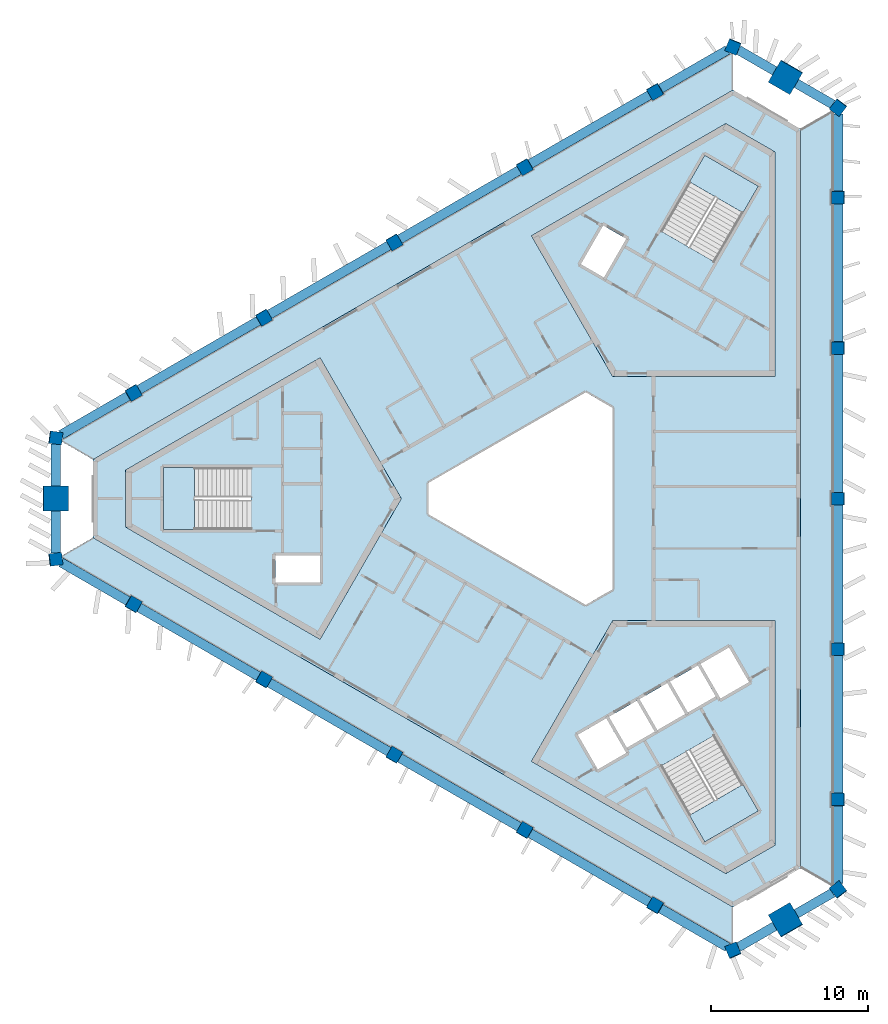
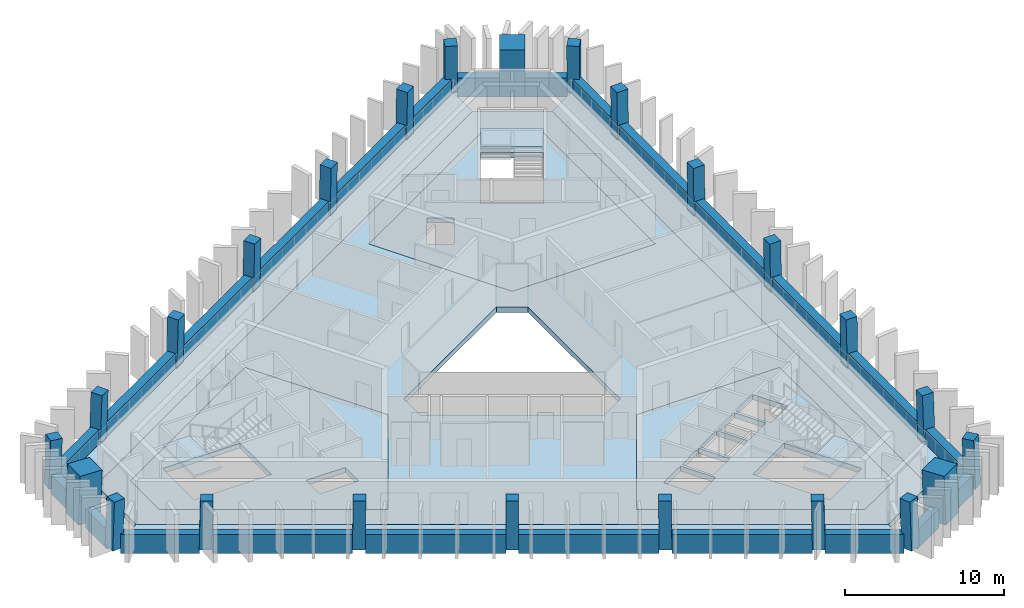
# One storey, part 1 of 10: 24 beams, 24 columns, 10 slabs, 3 elements without a shape of their own.
"""IFC4 building model written with IfcOpenShell, lengths in metres."""

from ifc_helpers import new_model, si_unit, direction, frame, origin, origin_2d, place, context, subcontext, project, spatial, polyline, rectangle, outline, extrude, material, layer, layer_set, material_profile, profile_set, type_object, element, aggregate, save


model = new_model("IFC4")

# Units and contexts
model_context = context("Model", 3, precision=1e-05, world=origin(), true_north=direction((0.0, 1.0)))
body_context = subcontext(model_context, "Body", "Model", "MODEL_VIEW")
ifc_project = project(units=[si_unit("LENGTHUNIT", "METRE"), si_unit("AREAUNIT", "SQUARE_METRE"), si_unit("VOLUMEUNIT", "CUBIC_METRE"), si_unit("PLANEANGLEUNIT", "RADIAN"), si_unit("MASSUNIT", "GRAM", prefix="KILO")], contexts=[model_context])

# Site, building, storey
site_placement = place(None, origin())
site = spatial("IfcSite", under=ifc_project, at=site_placement, CompositionType="ELEMENT")
building_placement = place(site_placement, origin())
building = spatial("IfcBuilding", under=site, at=building_placement, Name="Jabali Bay Hotel Tower and Convention Centre", CompositionType="ELEMENT")
storey_placement = place(building_placement, frame((0.0, 0.0, 284.89990234375)))
storey = spatial("IfcBuildingStorey", under=building, at=storey_placement, Name="L70", CompositionType="ELEMENT", Elevation=284.89990234375)

# Columns
ifc_material_1 = material(Name="Concrete C60", Category="concrete")
ifc_material_profile_1 = material_profile(ifc_material_1, rectangle(XDim=0.800048828125, YDim=0.800048828125, at=origin_2d()), Name="Frame column 800")
ifc_profile_set_1 = profile_set([ifc_material_profile_1], Name="Concrete C60")
column_type_1 = type_object("IfcColumnType", Name="Frame column 800", PredefinedType="COLUMN", material=ifc_profile_set_1)
column_1_placement = place(storey_placement, frame((82.213134765625, 105.992919921875, 0.0), z_axis=(-0.008375902173, -0.028161497857, 0.999568293966), x_axis=(0.865852192858, 0.499844650908, 0.02133787902)))
element("IfcColumn", 1, at=column_1_placement, inside=storey, type_object=column_type_1, Name="FC6 F1.1 L70", PredefinedType="COLUMN", context=body_context, shape_type="SweptSolid", body=[
    extrude(rectangle(XDim=0.800048828125, YDim=0.800048828125, at=origin_2d()), origin(), (0.0, 0.0, 1.0), 3.701904296875),
])
column_2_placement = place(storey_placement, frame((73.880615234375, 101.18212890625, 0.0), z_axis=(0.000857522362, -0.02282328747, 0.99973914708), x_axis=(0.866059992301, 0.499826257693, 0.01066779528)))
element("IfcColumn", 2, at=column_2_placement, inside=storey, type_object=column_type_1, Name="FC6 F1.2 L70", PredefinedType="COLUMN", context=body_context, shape_type="SweptSolid", body=[
    extrude(rectangle(XDim=0.800048828125, YDim=0.800048828125, at=origin_2d()), origin(), (0.0, 0.0, 1.0), 3.701171875),
])
column_3_placement = place(storey_placement, frame((65.548095703125, 96.37109375, 0.0), z_axis=(0.010092954999, -0.017481261926, 0.999796248113), x_axis=(-0.499897099477, 0.865849541015, 0.020185694417)))
element("IfcColumn", 3, at=column_3_placement, inside=storey, type_object=column_type_1, Name="FC6 F1.3 L70", PredefinedType="COLUMN", context=body_context, shape_type="SweptSolid", body=[
    extrude(rectangle(XDim=0.800048828125, YDim=0.800048828125, at=origin_2d()), origin(), (0.0, 0.0, 1.0), 3.700927734375),
])
column_4_placement = place(storey_placement, frame((57.215576171875, 91.560302734375, 0.0), z_axis=(0.019327242333, -0.012137244332, 0.999739538582), x_axis=(-0.500208874039, 0.865669601935, 0.020179757644)))
element("IfcColumn", 4, at=column_4_placement, inside=storey, type_object=column_type_1, Name="FC6 F1.4 L70", PredefinedType="COLUMN", context=body_context, shape_type="SweptSolid", body=[
    extrude(rectangle(XDim=0.800048828125, YDim=0.800048828125, at=origin_2d()), origin(), (0.0, 0.0, 1.0), 3.701171875),
])
for number, where, z_axis, x_axis, name in (
    (5, (48.883056640625, 86.74951171875, 0.0), (0.028491333691, -0.006793072616, 0.999570956996), (-0.499957844586, 0.865815655543, 0.020134653034), "FC6 F1.5 L70"),
    (6, (48.883056640625, 73.25048828125, 0.0), (0.028491333691, 0.006793072616, 0.999570956996), (-0.865580959553, 0.500317004289, 0.021271992814), "FC6 F2.1 L70"),
):
    element("IfcColumn", number, at=place(storey_placement, frame(where, z_axis=z_axis, x_axis=x_axis)), inside=storey, type_object=column_type_1, Name=name, PredefinedType="COLUMN", context=body_context, shape_type="SweptSolid", body=[
        extrude(rectangle(XDim=0.800048828125, YDim=0.800048828125, at=origin_2d()), origin(), (0.0, 0.0, 1.0), 3.701904296875),
    ])
column_5_placement = place(storey_placement, frame((57.215576171875, 68.439697265625, 0.0), z_axis=(0.019327242333, 0.012137244332, 0.999739538582), x_axis=(-0.865689055052, 0.500468607992, 0.010659848856)))
element("IfcColumn", 7, at=column_5_placement, inside=storey, type_object=column_type_1, Name="FC6 F2.2 L70", PredefinedType="COLUMN", context=body_context, shape_type="SweptSolid", body=[
    extrude(rectangle(XDim=0.800048828125, YDim=0.800048828125, at=origin_2d()), origin(), (0.0, 0.0, 1.0), 3.701171875),
])
column_6_placement = place(storey_placement, frame((65.548095703125, 63.62890625, 0.0), z_axis=(0.010092954999, 0.017481261926, 0.999796248113), x_axis=(-0.866025993948, 0.499998977805, 1.48321e-07)))
element("IfcColumn", 8, at=column_6_placement, inside=storey, type_object=column_type_1, Name="FC6 F2.3 L70", PredefinedType="COLUMN", context=body_context, shape_type="SweptSolid", body=[
    extrude(rectangle(XDim=0.800048828125, YDim=0.800048828125, at=origin_2d()), origin(), (0.0, 0.0, 1.0), 3.700927734375),
])
column_7_placement = place(storey_placement, frame((73.880615234375, 58.81787109375, 0.0), z_axis=(0.000857522362, 0.02282328747, 0.99973914708), x_axis=(-0.499939350713, -0.86582493015, 0.020194948363)))
element("IfcColumn", 9, at=column_7_placement, inside=storey, type_object=column_type_1, Name="FC6 F2.4 L70", PredefinedType="COLUMN", context=body_context, shape_type="SweptSolid", body=[
    extrude(rectangle(XDim=0.800048828125, YDim=0.800048828125, at=origin_2d()), origin(), (0.0, 0.0, 1.0), 3.701171875),
])
for number, where, z_axis, x_axis, name in (
    (10, (82.213134765625, 54.007080078125, 0.0), (-0.008375902173, 0.028161497857, 0.999568293966), (-0.50022977159, -0.865657123229, 0.020197044776), "FC6 F2.5 L70"),
    (11, (93.90380859375, 60.7568359375, 0.0), (-0.020181329236, 0.021302514194, 0.999569365697), (0.000228295571, -0.999772858975, 0.021311460273), "FC6 F0.1 L70"),
):
    element("IfcColumn", number, at=place(storey_placement, frame(where, z_axis=z_axis, x_axis=x_axis)), inside=storey, type_object=column_type_1, Name=name, PredefinedType="COLUMN", context=body_context, shape_type="SweptSolid", body=[
        extrude(rectangle(XDim=0.800048828125, YDim=0.800048828125, at=origin_2d()), origin(), (0.0, 0.0, 1.0), 3.701904296875),
    ])
column_8_placement = place(storey_placement, frame((93.90380859375, 70.37841796875, 0.0), z_axis=(-0.02018477153, 0.01062009221, 0.999739860484), x_axis=(0.001543252549, -0.999942060058, 0.010653398453)))
element("IfcColumn", 12, at=column_8_placement, inside=storey, type_object=column_type_1, Name="FC6 F0.2 L70", PredefinedType="COLUMN", context=body_context, shape_type="SweptSolid", body=[
    extrude(rectangle(XDim=0.800048828125, YDim=0.800048828125, at=origin_2d()), origin(), (0.0, 0.0, 1.0), 3.701171875),
])
column_9_placement = place(storey_placement, frame((93.90380859375, 80.0, 0.0), z_axis=(-0.02018590991, 0.0, 0.999796243762), x_axis=(0.0, -1.0, 0.0)))
element("IfcColumn", 13, at=column_9_placement, inside=storey, type_object=column_type_1, Name="FC6 F0.3 L70", PredefinedType="COLUMN", context=body_context, shape_type="SweptSolid", body=[
    extrude(rectangle(XDim=0.800048828125, YDim=0.800048828125, at=origin_2d()), origin(), (0.0, 0.0, 1.0), 3.700927734375),
])
column_10_placement = place(storey_placement, frame((93.90380859375, 89.62158203125, 0.0), z_axis=(-0.02018477153, -0.01062009221, 0.999739860484), x_axis=(0.999795075688, -0.001757887502, 0.020167212541)))
element("IfcColumn", 14, at=column_10_placement, inside=storey, type_object=column_type_1, Name="FC6 F0.4 L70", PredefinedType="COLUMN", context=body_context, shape_type="SweptSolid", body=[
    extrude(rectangle(XDim=0.800048828125, YDim=0.800048828125, at=origin_2d()), origin(), (0.0, 0.0, 1.0), 3.701171875),
])
column_11_placement = place(storey_placement, frame((93.90380859375, 99.2431640625, 0.0), z_axis=(-0.020181329236, -0.021302514194, 0.999569365697), x_axis=(0.999796310171, -0.000658290855, 0.020171881959)))
element("IfcColumn", 15, at=column_11_placement, inside=storey, type_object=column_type_1, Name="FC6 F0.5 L70", PredefinedType="COLUMN", context=body_context, shape_type="SweptSolid", body=[
    extrude(rectangle(XDim=0.800048828125, YDim=0.800048828125, at=origin_2d()), origin(), (0.0, 0.0, 1.0), 3.701904296875),
])
for number, where, z_axis, x_axis, name in (
    (16, (93.90380859375, 55.0126953125, 0.0), (-0.020177412175, 0.029013272408, 0.999375355941), (-0.79760056872, -0.603184342564, 0.001407715538), "FC6 V0 L70"),
    (17, (93.90380859375, 104.9873046875, 0.0), (-0.020177412175, -0.029013272408, 0.999375355941), (0.602848409482, 0.797073948207, 0.03531170167), "FC6 V1 L70"),
    (18, (87.187744140625, 108.86474609375, 0.0), (-0.015034182801, -0.031914668753, 0.999377519892), (0.920894795963, -0.389808671392, 0.001405160763), "FC6 V2 L70"),
    (19, (43.908447265625, 83.87744140625, 0.0), (0.035211566633, -0.002967266851, 0.999375475436), (-0.991711216682, 0.123540213321, 0.035308333288), "FC6 V3 L70"),
    (20, (43.908447265625, 76.12255859375, 0.0), (0.035211566633, 0.002967266851, 0.999375475436), (-0.12356782867, 0.992335130397, 0.001407372634), "FC6 V4 L70"),
    (21, (87.187744140625, 51.13525390625, 0.0), (-0.015034182801, 0.031914668753, 0.999377519892), (0.389521178008, -0.920342682714, 0.035250507193), "FC6 V5 L70"),
):
    element("IfcColumn", number, at=place(storey_placement, frame(where, z_axis=z_axis, x_axis=x_axis)), inside=storey, type_object=column_type_1, Name=name, PredefinedType="COLUMN", context=body_context, shape_type="SweptSolid", body=[
        extrude(rectangle(XDim=0.800048828125, YDim=0.800048828125, at=origin_2d()), origin(), (0.0, 0.0, 1.0), 3.702392578125),
    ])
ifc_material_2 = material(Name="Concrete C70", Category="concrete")
ifc_material_profile_2 = material_profile(ifc_material_2, rectangle(XDim=1.60009765625, YDim=1.60009765625, at=origin_2d()), Name="Mega column 1600")
ifc_profile_set_2 = profile_set([ifc_material_profile_2], Name="Concrete C70")
column_type_2 = type_object("IfcColumnType", Name="Mega column 1600", PredefinedType="COLUMN", material=ifc_profile_set_2)
for number, where, z_axis, x_axis, name in (
    (22, (90.5458984375, 106.926025390625, 0.0), (-0.017605877014, -0.030464101799, 0.99938079409), (0.500067126827, 0.865271541346, 0.035185627802), "MC6 M1 L70"),
    (23, (43.908447265625, 80.0, 0.0), (0.035211721647, 0.0, 0.999379875052), (0.0, 1.0, 0.0), "MC6 M0 L70"),
    (24, (90.5458984375, 53.073974609375, 0.0), (-0.017605877014, 0.030464101799, 0.99938079409), (-0.865807658641, -0.500376956143, 2.31518e-07), "MC6 M2 L70"),
):
    element("IfcColumn", number, at=place(storey_placement, frame(where, z_axis=z_axis, x_axis=x_axis)), inside=storey, type_object=column_type_2, Name=name, PredefinedType="COLUMN", context=body_context, shape_type="SweptSolid", body=[
        extrude(rectangle(XDim=1.60009765625, YDim=1.60009765625, at=origin_2d()), origin(), (0.0, 0.0, 1.0), 3.702392578125),
    ])

# Beams
ifc_material_profile_3 = material_profile(ifc_material_1, rectangle(XDim=0.60009765625, YDim=1.449951171875, at=origin_2d()), Name="Spandrel 600x1450")
ifc_profile_set_3 = profile_set([ifc_material_profile_3], Name="Concrete C60")
beam_type = type_object("IfcBeamType", Name="Spandrel 600x1450", PredefinedType="SPANDREL", material=ifc_profile_set_3)
beam_1_placement = place(storey_placement, frame((89.846435546875, 107.314697265625, 0.375), z_axis=(-0.866039759667, 0.499975134057, 0.0), x_axis=(-0.499975134057, -0.866039759667, 0.0)))
element("IfcBeam", 25, at=beam_1_placement, inside=storey, type_object=beam_type, Name="Spandrel M1-V2 L70", PredefinedType="SPANDREL", context=body_context, shape_type="SweptSolid", body=[
    extrude(rectangle(XDim=0.60009765625, YDim=1.449951171875, at=origin_2d()), origin(), (0.0, 0.0, 1.0), 2.676513671875),
])
beam_2_placement = place(storey_placement, frame((86.835693359375, 108.65283203125, 0.375), z_axis=(-0.866042423208, -0.499970520335, 0.0), x_axis=(0.499970520335, -0.866042423208, 0.0)))
element("IfcBeam", 26, at=beam_2_placement, inside=storey, type_object=beam_type, Name="Spandrel V2-F1.1 L70", PredefinedType="SPANDREL", context=body_context, shape_type="SweptSolid", body=[
    extrude(rectangle(XDim=0.60009765625, YDim=1.449951171875, at=origin_2d()), origin(), (0.0, 0.0, 1.0), 4.941162109375),
])
for number, where, z_axis, x_axis, name in (
    (27, (81.86376953125, 105.7822265625, 0.375), (-0.866036662103, -0.499980499513, 0.0), (0.499980499513, -0.866036662103, 0.0), "Spandrel F1.1-F1.2 L70"),
    (28, (73.53466796875, 100.973388671875, 0.375), (-0.866036662103, -0.499980499513, 0.0), (0.499980499513, -0.866036662103, 0.0), "Spandrel F1.2-F1.3 L70"),
    (29, (65.20556640625, 96.16455078125, 0.375), (-0.866036662103, -0.499980499513, 0.0), (0.499980499513, -0.866036662103, 0.0), "Spandrel F1.3-F1.4 L70"),
):
    element("IfcBeam", number, at=place(storey_placement, frame(where, z_axis=z_axis, x_axis=x_axis)), inside=storey, type_object=beam_type, Name=name, PredefinedType="SPANDREL", context=body_context, shape_type="SweptSolid", body=[
        extrude(rectangle(XDim=0.60009765625, YDim=1.449951171875, at=origin_2d()), origin(), (0.0, 0.0, 1.0), 8.817626953125),
    ])
beam_3_placement = place(storey_placement, frame((56.87646484375, 91.35595703125, 0.375), z_axis=(-0.866024673302, -0.500001265231, 0.0), x_axis=(0.500001265231, -0.866024673302, 0.0)))
element("IfcBeam", 30, at=beam_3_placement, inside=storey, type_object=beam_type, Name="Spandrel F1.4-F1.5 L70", PredefinedType="SPANDREL", context=body_context, shape_type="SweptSolid", body=[
    extrude(rectangle(XDim=0.60009765625, YDim=1.449951171875, at=origin_2d()), origin(), (0.0, 0.0, 1.0), 8.81787109375),
])
beam_4_placement = place(storey_placement, frame((48.54736328125, 86.547119140625, 0.375), z_axis=(-0.866021029023, -0.500007577232, 0.0), x_axis=(0.500007577232, -0.866021029023, 0.0)))
element("IfcBeam", 31, at=beam_4_placement, inside=storey, type_object=beam_type, Name="Spandrel F1.5-V3 L70", PredefinedType="SPANDREL", context=body_context, shape_type="SweptSolid", body=[
    extrude(rectangle(XDim=0.60009765625, YDim=1.449951171875, at=origin_2d()), origin(), (0.0, 0.0, 1.0), 4.94140625),
])
for number, where, z_axis, x_axis, name in (
    (32, (43.921630859375, 83.476318359375, 0.375), (0.0, -1.0, 0.0), (1.0, 0.0, 0.0), "Spandrel V3-M0 L70"),
    (33, (43.921630859375, 79.199951171875, 0.375), (0.0, -1.0, 0.0), (1.0, 0.0, 0.0), "Spandrel M0-V4 L70"),
):
    element("IfcBeam", number, at=place(storey_placement, frame(where, z_axis=z_axis, x_axis=x_axis)), inside=storey, type_object=beam_type, Name=name, PredefinedType="SPANDREL", context=body_context, shape_type="SweptSolid", body=[
        extrude(rectangle(XDim=0.60009765625, YDim=1.449951171875, at=origin_2d()), origin(), (0.0, 0.0, 1.0), 2.67626953125),
    ])
beam_5_placement = place(storey_placement, frame((44.26806640625, 75.923583984375, 0.375), z_axis=(0.866021029023, -0.500007577232, 0.0), x_axis=(0.500007577232, 0.866021029023, 0.0)))
element("IfcBeam", 34, at=beam_5_placement, inside=storey, type_object=beam_type, Name="Spandrel V4-F2.1 L70", PredefinedType="SPANDREL", context=body_context, shape_type="SweptSolid", body=[
    extrude(rectangle(XDim=0.60009765625, YDim=1.449951171875, at=origin_2d()), origin(), (0.0, 0.0, 1.0), 4.94140625),
])
beam_6_placement = place(storey_placement, frame((49.239990234375, 73.052978515625, 0.375), z_axis=(0.866024673302, -0.500001265231, 0.0), x_axis=(0.500001265231, 0.866024673302, 0.0)))
element("IfcBeam", 35, at=beam_6_placement, inside=storey, type_object=beam_type, Name="Spandrel F2.1-F2.2 L70", PredefinedType="SPANDREL", context=body_context, shape_type="SweptSolid", body=[
    extrude(rectangle(XDim=0.60009765625, YDim=1.449951171875, at=origin_2d()), origin(), (0.0, 0.0, 1.0), 8.81787109375),
])
for number, where, z_axis, x_axis, name in (
    (36, (57.569091796875, 68.244140625, 0.375), (0.866036662103, -0.499980499513, 0.0), (0.499980499513, 0.866036662103, 0.0), "Spandrel F2.2-F2.3 L70"),
    (37, (65.898193359375, 63.435302734375, 0.375), (0.866036662103, -0.499980499513, 0.0), (0.499980499513, 0.866036662103, 0.0), "Spandrel F2.3-F2.4 L70"),
    (38, (74.227294921875, 58.62646484375, 0.375), (0.866036662103, -0.499980499513, 0.0), (0.499980499513, 0.866036662103, 0.0), "Spandrel F2.4-F2.5 L70"),
):
    element("IfcBeam", number, at=place(storey_placement, frame(where, z_axis=z_axis, x_axis=x_axis)), inside=storey, type_object=beam_type, Name=name, PredefinedType="SPANDREL", context=body_context, shape_type="SweptSolid", body=[
        extrude(rectangle(XDim=0.60009765625, YDim=1.449951171875, at=origin_2d()), origin(), (0.0, 0.0, 1.0), 8.817626953125),
    ])
beam_7_placement = place(storey_placement, frame((82.556396484375, 53.817626953125, 0.375), z_axis=(0.866042423208, -0.499970520335, 0.0), x_axis=(0.499970520335, 0.866042423208, 0.0)))
element("IfcBeam", 39, at=beam_7_placement, inside=storey, type_object=beam_type, Name="Spandrel F2.5-V5 L70", PredefinedType="SPANDREL", context=body_context, shape_type="SweptSolid", body=[
    extrude(rectangle(XDim=0.60009765625, YDim=1.449951171875, at=origin_2d()), origin(), (0.0, 0.0, 1.0), 4.941162109375),
])
for number, where, z_axis, x_axis, name in (
    (40, (87.528564453125, 51.34716796875, 0.375), (0.866039759667, 0.499975134057, 0.0), (-0.499975134057, 0.866039759667, 0.0), "Spandrel V5-M2 L70"),
    (41, (91.23193359375, 53.4853515625, 0.375), (0.866039759667, 0.499975134057, 0.0), (-0.499975134057, 0.866039759667, 0.0), "Spandrel M2-V0 L70"),
):
    element("IfcBeam", number, at=place(storey_placement, frame(where, z_axis=z_axis, x_axis=x_axis)), inside=storey, type_object=beam_type, Name=name, PredefinedType="SPANDREL", context=body_context, shape_type="SweptSolid", body=[
        extrude(rectangle(XDim=0.60009765625, YDim=1.449951171875, at=origin_2d()), origin(), (0.0, 0.0, 1.0), 2.676513671875),
    ])
beam_8_placement = place(storey_placement, frame((93.896240234375, 55.423583984375, 0.375), z_axis=(0.0, 1.0, 0.0), x_axis=(-1.0, 0.0, 0.0)))
element("IfcBeam", 42, at=beam_8_placement, inside=storey, type_object=beam_type, Name="Spandrel V0-F0.1 L70", PredefinedType="SPANDREL", context=body_context, shape_type="SweptSolid", body=[
    extrude(rectangle(XDim=0.60009765625, YDim=1.449951171875, at=origin_2d()), origin(), (0.0, 0.0, 1.0), 4.941162109375),
])
for number, where, z_axis, x_axis, name in (
    (43, (93.896240234375, 61.164794921875, 0.375), (0.0, 1.0, 0.0), (-1.0, 0.0, 0.0), "Spandrel F0.1-F0.2 L70"),
    (44, (93.896240234375, 70.782470703125, 0.375), (0.0, 1.0, 0.0), (-1.0, 0.0, 0.0), "Spandrel F0.2-F0.3 L70"),
    (45, (93.896240234375, 80.39990234375, 0.375), (0.0, 1.0, 0.0), (-1.0, 0.0, 0.0), "Spandrel F0.3-F0.4 L70"),
    (46, (93.896240234375, 90.017578125, 0.375), (0.0, 1.0, 0.0), (-1.0, 0.0, 0.0), "Spandrel F0.4-F0.5 L70"),
):
    element("IfcBeam", number, at=place(storey_placement, frame(where, z_axis=z_axis, x_axis=x_axis)), inside=storey, type_object=beam_type, Name=name, PredefinedType="SPANDREL", context=body_context, shape_type="SweptSolid", body=[
        extrude(rectangle(XDim=0.60009765625, YDim=1.449951171875, at=origin_2d()), origin(), (0.0, 0.0, 1.0), 8.817626953125),
    ])
beam_9_placement = place(storey_placement, frame((93.896240234375, 99.63525390625, 0.375), z_axis=(0.0, 1.0, 0.0), x_axis=(-1.0, 0.0, 0.0)))
element("IfcBeam", 47, at=beam_9_placement, inside=storey, type_object=beam_type, Name="Spandrel F0.5-V1 L70", PredefinedType="SPANDREL", context=body_context, shape_type="SweptSolid", body=[
    extrude(rectangle(XDim=0.60009765625, YDim=1.449951171875, at=origin_2d()), origin(), (0.0, 0.0, 1.0), 4.941162109375),
])
beam_10_placement = place(storey_placement, frame((93.5498046875, 105.176513671875, 0.375), z_axis=(-0.866039759667, 0.499975134057, 0.0), x_axis=(-0.499975134057, -0.866039759667, 0.0)))
element("IfcBeam", 48, at=beam_10_placement, inside=storey, type_object=beam_type, Name="Spandrel V1-M1 L70", PredefinedType="SPANDREL", context=body_context, shape_type="SweptSolid", body=[
    extrude(rectangle(XDim=0.60009765625, YDim=1.449951171875, at=origin_2d()), origin(), (0.0, 0.0, 1.0), 2.676513671875),
])

# Slabs
ifc_material_3 = material(Name="Concrete C40", Category="concrete")
ifc_layer_1 = layer(ifc_material_3, 0.39990234375)
ifc_layer_set_1 = layer_set([ifc_layer_1], Name="Concrete C40")
slab_type_1 = type_object("IfcSlabType", Name="Core floor slab 400", PredefinedType="FLOOR", material=ifc_layer_set_1)
slab_1_placement = place(storey_placement, frame((0.0, 0.0, -0.39990234375)))
element("IfcSlab", 49, at=slab_1_placement, inside=storey, type_object=slab_type_1, Name="Core floor slab 1 L70", PredefinedType="FLOOR", context=body_context, shape_type="SweptSolid", body=[
    extrude(outline(polyline([(66.0, 80.0), (60.81005859375, 88.9892578125), (48.39697265625, 81.82275390625), (48.39697265625, 78.17724609375), (60.81005859375, 71.0107421875), (66.0, 80.0)]), holes=[polyline([(60.800048828125, 76.35009765625), (57.949951171875, 76.35009765625), (57.949951171875, 74.64990234375), (60.800048828125, 74.64990234375), (60.800048828125, 76.35009765625)]), polyline([(50.820068359375, 81.97509765625), (50.820068359375, 78.02490234375), (56.409912109375, 78.02490234375), (56.409912109375, 81.97509765625), (50.820068359375, 81.97509765625)])]), origin(), (0.0, 0.0, 1.0), 0.39990234375),
])
slab_2_placement = place(storey_placement, frame((0.0, 0.0, -0.39990234375)))
element("IfcSlab", 50, at=slab_2_placement, inside=storey, type_object=slab_type_1, Name="Core floor slab 2 L70", PredefinedType="FLOOR", context=body_context, shape_type="SweptSolid", body=[
    extrude(outline(polyline([(79.5, 87.794189453125), (89.8798828125, 87.794189453125), (89.8798828125, 102.127685546875), (86.72314453125, 103.9501953125), (74.31005859375, 96.78369140625), (79.5, 87.794189453125)]), holes=[polyline([(78.93896484375, 94.12255859375), (80.364013671875, 96.5908203125), (78.891845703125, 97.440673828125), (77.466796875, 94.97265625), (78.93896484375, 94.12255859375)]), polyline([(88.80029296875, 99.952880859375), (85.379638671875, 101.927978515625), (82.584716796875, 97.0869140625), (86.00537109375, 95.11181640625), (88.80029296875, 99.952880859375)])]), origin(), (0.0, 0.0, 1.0), 0.39990234375),
])
slab_3_placement = place(storey_placement, frame((0.0, 0.0, -0.39990234375)))
element("IfcSlab", 51, at=slab_3_placement, inside=storey, type_object=slab_type_1, Name="Core floor slab 3 L70", PredefinedType="FLOOR", context=body_context, shape_type="SweptSolid", body=[
    extrude(outline(polyline([(79.5, 72.205810546875), (74.31005859375, 63.21630859375), (86.72314453125, 56.0498046875), (89.8798828125, 57.872314453125), (89.8798828125, 72.205810546875), (79.5, 72.205810546875)]), holes=[polyline([(82.584716796875, 62.9130859375), (85.379638671875, 58.072021484375), (88.80029296875, 60.047119140625), (86.00537109375, 64.88818359375), (82.584716796875, 62.9130859375)]), polyline([(80.365478515625, 63.756591796875), (79.090576171875, 65.96484375), (77.27197265625, 64.9150390625), (78.546875, 62.70654296875), (80.365478515625, 63.756591796875)]), polyline([(82.17919921875, 65.115478515625), (81.0390625, 67.08984375), (79.263671875, 66.06494140625), (80.40380859375, 64.09033203125), (82.17919921875, 65.115478515625)]), polyline([(82.98779296875, 68.21484375), (81.21240234375, 67.18994140625), (82.352294921875, 65.21533203125), (84.127685546875, 66.240478515625), (82.98779296875, 68.21484375)]), polyline([(86.076171875, 67.365478515625), (84.936279296875, 69.33984375), (83.160888671875, 68.31494140625), (84.30078125, 66.34033203125), (86.076171875, 67.365478515625)]), polyline([(88.203125, 68.281494140625), (86.927978515625, 70.489990234375), (85.109375, 69.43994140625), (86.384521484375, 67.231689453125), (88.203125, 68.281494140625)])]), origin(), (0.0, 0.0, 1.0), 0.39990234375),
])
ifc_layer_2 = layer(ifc_material_3, 0.199951171875)
ifc_layer_set_2 = layer_set([ifc_layer_2], Name="Concrete C40")
slab_type_2 = type_object("IfcSlabType", Name="Loggia slab 200", PredefinedType="FLOOR", material=ifc_layer_set_2)
slab_4_placement = place(storey_placement, frame((0.0, 0.0, -0.199951171875)))
element("IfcSlab", 52, at=slab_4_placement, inside=storey, type_object=slab_type_2, Name="Loggia slab east face L70", PredefinedType="FLOOR", context=body_context, shape_type="SweptSolid", body=[
    extrude(outline(polyline([(91.50390625, 103.601806640625), (93.52783203125, 104.770263671875), (93.603759765625, 104.712646484375), (93.603759765625, 99.643310546875), (93.50390625, 99.643310546875), (93.50390625, 98.84326171875), (93.603759765625, 98.84326171875), (93.603759765625, 90.021728515625), (93.50390625, 90.021728515625), (93.50390625, 89.2216796875), (93.603759765625, 89.2216796875), (93.603759765625, 80.39990234375), (93.50390625, 80.39990234375), (93.50390625, 79.60009765625), (93.603759765625, 79.60009765625), (93.603759765625, 70.7783203125), (93.50390625, 70.7783203125), (93.50390625, 69.978271484375), (93.603759765625, 69.978271484375), (93.603759765625, 61.15673828125), (93.50390625, 61.15673828125), (93.50390625, 60.356689453125), (93.603759765625, 60.356689453125), (93.603759765625, 55.287353515625), (93.52783203125, 55.229736328125), (91.50390625, 56.398193359375), (91.50390625, 103.601806640625)])), origin(), (0.0, 0.0, 1.0), 0.199951171875),
])
slab_5_placement = place(storey_placement, frame((0.0, 0.0, -0.199951171875)))
element("IfcSlab", 53, at=slab_5_placement, inside=storey, type_object=slab_type_2, Name="Loggia slab north-west face L70", PredefinedType="FLOOR", context=body_context, shape_type="SweptSolid", body=[
    extrude(outline(polyline([(46.308349609375, 82.491943359375), (44.284423828125, 83.660400390625), (44.296142578125, 83.755126953125), (48.6865234375, 86.289794921875), (48.736572265625, 86.203125), (49.429443359375, 86.603271484375), (49.37939453125, 86.689697265625), (57.01904296875, 91.1005859375), (57.069091796875, 91.013916015625), (57.761962890625, 91.4140625), (57.7119140625, 91.50048828125), (65.3515625, 95.911376953125), (65.401611328125, 95.82470703125), (66.094482421875, 96.224853515625), (66.04443359375, 96.311279296875), (73.684326171875, 100.72216796875), (73.734130859375, 100.635498046875), (74.427001953125, 101.03564453125), (74.376953125, 101.122314453125), (82.016845703125, 105.532958984375), (82.06689453125, 105.446533203125), (82.759521484375, 105.846435546875), (82.709716796875, 105.93310546875), (87.099853515625, 108.4677734375), (87.187744140625, 108.4306640625), (87.187744140625, 106.093505859375), (46.308349609375, 82.491943359375)])), origin(), (0.0, 0.0, 1.0), 0.199951171875),
])
slab_6_placement = place(storey_placement, frame((0.0, 0.0, -0.199951171875)))
element("IfcSlab", 54, at=slab_6_placement, inside=storey, type_object=slab_type_2, Name="Loggia slab south-west face L70", PredefinedType="FLOOR", context=body_context, shape_type="SweptSolid", body=[
    extrude(outline(polyline([(87.187744140625, 53.906494140625), (87.187744140625, 51.5693359375), (87.099853515625, 51.5322265625), (82.709716796875, 54.06689453125), (82.759521484375, 54.153564453125), (82.06689453125, 54.553466796875), (82.016845703125, 54.467041015625), (74.376953125, 58.877685546875), (74.427001953125, 58.96435546875), (73.734130859375, 59.364501953125), (73.684326171875, 59.27783203125), (66.04443359375, 63.688720703125), (66.094482421875, 63.775146484375), (65.401611328125, 64.17529296875), (65.3515625, 64.088623046875), (57.7119140625, 68.49951171875), (57.761962890625, 68.5859375), (57.069091796875, 68.986083984375), (57.01904296875, 68.8994140625), (49.37939453125, 73.310302734375), (49.429443359375, 73.396728515625), (48.736572265625, 73.796875), (48.6865234375, 73.710205078125), (44.296142578125, 76.244873046875), (44.284423828125, 76.339599609375), (46.308349609375, 77.508056640625), (87.187744140625, 53.906494140625)])), origin(), (0.0, 0.0, 1.0), 0.199951171875),
])
ifc_layer_3 = layer(ifc_material_3, 0.39990234375)
ifc_layer_set_3 = layer_set([ifc_layer_3], Name="Concrete C40")
slab_type_3 = type_object("IfcSlabType", Name="Post-tensioned flat slab 400", PredefinedType="FLOOR", material=ifc_layer_set_3)
slab_7_placement = place(storey_placement, frame((0.0, 0.0, -0.39990234375)))
element("IfcSlab", 55, at=slab_7_placement, inside=storey, type_object=slab_type_3, Name="Floor slab L70", PredefinedType="FLOOR", context=body_context, shape_type="SweptSolid", body=[
    extrude(outline(polyline([(87.187744140625, 106.093505859375), (91.50390625, 103.601806640625), (91.50390625, 56.398193359375), (87.187744140625, 53.906494140625), (46.308349609375, 77.508056640625), (46.308349609375, 82.491943359375), (87.187744140625, 106.093505859375)]), holes=[polyline([(67.73193359375, 79.0), (77.76806640625, 73.205810546875), (79.5, 74.205810546875), (79.5, 85.794189453125), (77.76806640625, 86.794189453125), (67.73193359375, 81.0), (67.73193359375, 79.0)]), polyline([(48.39697265625, 78.17724609375), (60.81005859375, 71.0107421875), (66.0, 80.0), (60.81005859375, 88.9892578125), (48.39697265625, 81.82275390625), (48.39697265625, 78.17724609375)]), polyline([(89.8798828125, 102.127685546875), (86.72314453125, 103.9501953125), (74.31005859375, 96.78369140625), (79.5, 87.794189453125), (89.8798828125, 87.794189453125), (89.8798828125, 102.127685546875)]), polyline([(74.31005859375, 63.21630859375), (86.72314453125, 56.0498046875), (89.8798828125, 57.872314453125), (89.8798828125, 72.205810546875), (79.5, 72.205810546875), (74.31005859375, 63.21630859375)])]), origin(), (0.0, 0.0, 1.0), 0.39990234375),
])

# Stair, slab
stair_type = type_object("IfcStairType", Name="Exit stair 1900", PredefinedType="HALF_TURN_STAIR", material=ifc_material_3)
stair_1_placement = place(storey_placement, origin())
stair_1 = element("IfcStair", 56, at=stair_1_placement, inside=storey, type_object=stair_type, Name="L70 Exit Stair 1", PredefinedType="HALF_TURN_STAIR")
ifc_layer_4 = layer(ifc_material_3, 0.199951171875)
ifc_layer_set_4 = layer_set([ifc_layer_4], Name="Concrete C40")
slab_type_4 = type_object("IfcSlabType", Name="Stair landing 200", PredefinedType="LANDING", material=ifc_layer_set_4)
slab_8_placement = place(storey_placement, frame((0.0, 0.0, 1.650146484375)))
slab_8 = element("IfcSlab", 57, at=slab_8_placement, type_object=slab_type_4, Name="ST1 landing 1", PredefinedType="LANDING", context=body_context, shape_type="SweptSolid", body=[
    extrude(outline(polyline([(52.782958984375, 81.97509765625), (50.820068359375, 81.97509765625), (50.820068359375, 78.02490234375), (52.782958984375, 78.02490234375), (52.782958984375, 81.97509765625)])), origin(), (0.0, 0.0, 1.0), 0.199951171875),
])
aggregate(stair_1, [slab_8])

stair_2_placement = place(storey_placement, origin())
stair_2 = element("IfcStair", 58, at=stair_2_placement, inside=storey, type_object=stair_type, Name="L70 Exit Stair 2", PredefinedType="HALF_TURN_STAIR")
slab_9_placement = place(storey_placement, frame((0.0, 0.0, 1.650146484375)))
slab_9 = element("IfcSlab", 59, at=slab_9_placement, type_object=slab_type_4, Name="ST2 landing 1", PredefinedType="LANDING", context=body_context, shape_type="SweptSolid", body=[
    extrude(outline(polyline([(87.81884765625, 98.2529296875), (88.80029296875, 99.952880859375), (85.379638671875, 101.927978515625), (84.398193359375, 100.22802734375), (87.81884765625, 98.2529296875)])), origin(), (0.0, 0.0, 1.0), 0.199951171875),
])
aggregate(stair_2, [slab_9])

stair_3_placement = place(storey_placement, origin())
stair_3 = element("IfcStair", 60, at=stair_3_placement, inside=storey, type_object=stair_type, Name="L70 Exit Stair 3", PredefinedType="HALF_TURN_STAIR")
slab_10_placement = place(storey_placement, frame((0.0, 0.0, 1.650146484375)))
slab_10 = element("IfcSlab", 61, at=slab_10_placement, type_object=slab_type_4, Name="ST3 landing 1", PredefinedType="LANDING", context=body_context, shape_type="SweptSolid", body=[
    extrude(outline(polyline([(84.398193359375, 59.77197265625), (85.379638671875, 58.072021484375), (88.80029296875, 60.047119140625), (87.81884765625, 61.7470703125), (84.398193359375, 59.77197265625)])), origin(), (0.0, 0.0, 1.0), 0.199951171875),
])
aggregate(stair_3, [slab_10])

save(model, "model.ifc")
